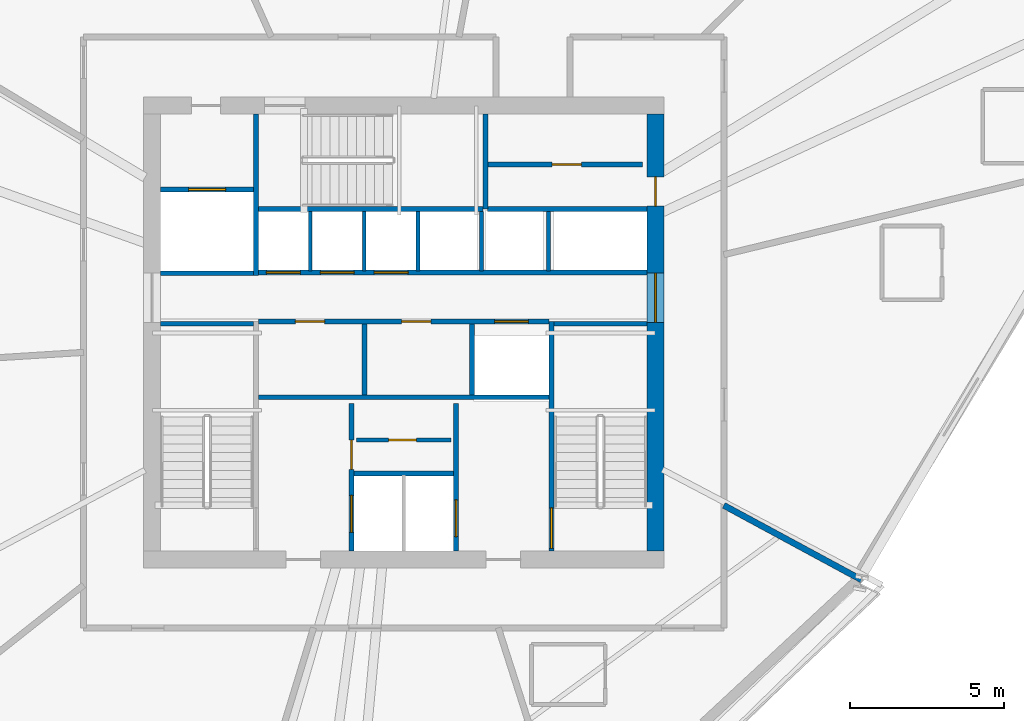
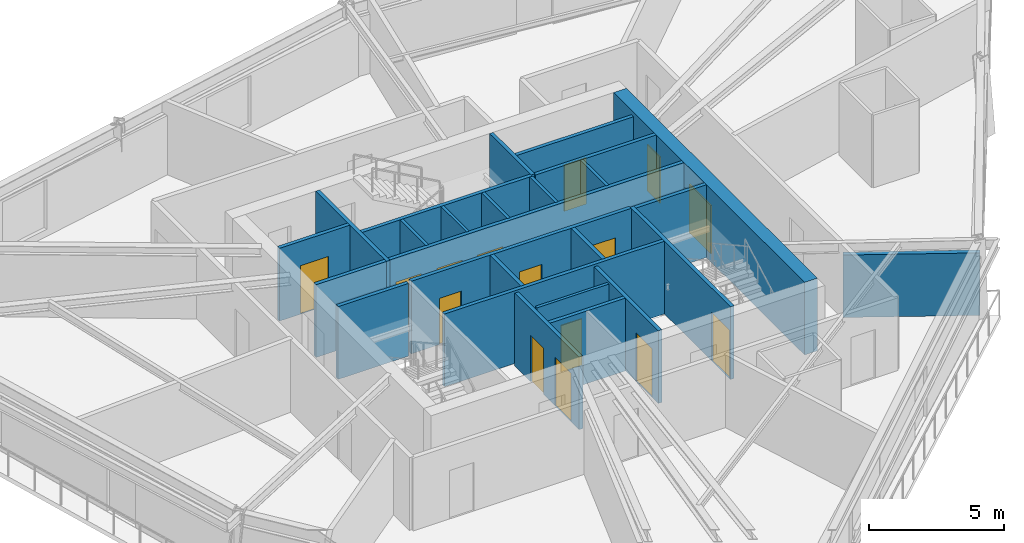
# One storey, part 10 of 15: 26 walls, 15 doors, 15 openings.
"""IFC4 building model written with IfcOpenShell, lengths in metres."""

from ifc_helpers import new_model, si_unit, direction, frame, frame_2d, origin, place, context, subcontext, project, spatial, rectangle, extrude, source, transform, mapped, material, layer, layer_set, type_object, type_shapes, element, fill, save


model = new_model("IFC4")

# Units and contexts
model_context = context("Model", 3, precision=1e-05, world=origin(), true_north=direction((0.0, 1.0)))
body_context = subcontext(model_context, "Body", "Model", "MODEL_VIEW")
ifc_project = project(units=[si_unit("LENGTHUNIT", "METRE"), si_unit("AREAUNIT", "SQUARE_METRE"), si_unit("VOLUMEUNIT", "CUBIC_METRE"), si_unit("PLANEANGLEUNIT", "RADIAN"), si_unit("MASSUNIT", "GRAM", prefix="KILO")], contexts=[model_context])

# Site, building, storey
site_placement = place(None, origin())
site = spatial("IfcSite", under=ifc_project, at=site_placement, CompositionType="ELEMENT")
building_placement = place(site_placement, origin())
building = spatial("IfcBuilding", under=site, at=building_placement, Name="Olszyna Solenne Hotel", CompositionType="ELEMENT")
storey_placement = place(building_placement, frame((0.0, 0.0, 146.60009765625)))
storey = spatial("IfcBuildingStorey", under=building, at=storey_placement, Name="L38", CompositionType="ELEMENT", Elevation=146.60009765625)

# Wall, openings, doors
ifc_material_1 = material(Name="Concrete C50/60", Category="concrete")
ifc_layer_1 = layer(ifc_material_1, 0.550048828125, Name="Concrete C50/60")
ifc_layer_set_1 = layer_set([ifc_layer_1], Name="Concrete C50/60")
wall_type_1 = type_object("IfcWallType", Name="WL-CR550", PredefinedType="SHEAR", material=ifc_layer_set_1)
wall_1_placement = place(storey_placement, frame((46.175048828125, 33.699951171875, 0.0), z_axis=(0.0, 0.0, 1.0), x_axis=(0.0, -1.0, 0.0)))
wall_1 = element("IfcWall", 1, at=wall_1_placement, inside=storey, type_object=wall_type_1, Name="Core shear wall WL-CR550 CRW-L38-E", PredefinedType="SHEAR", context=body_context, shape_type="SweptSolid", body=[
    extrude(rectangle(XDim=14.199951171875, YDim=0.550048828125, at=frame_2d((7.10009765625, 0.0))), origin(), (0.0, 0.0, 1.0), 3.2998046875),
])
opening_1_placement = place(wall_1_placement, frame((5.179931640625, 0.0, 0.0)))
opening_1 = element("IfcOpeningElement", 2, at=opening_1_placement, cuts=wall_1, Name="Opening LHD-L38-E", PredefinedType="OPENING", context=body_context, shape_type="SweptSolid", body=[
    extrude(rectangle(XDim=1.60009765625, YDim=2.199951171875, at=frame_2d((0.800048828125, 1.10009765625))), frame((0.0, 0.28515625, 0.0), z_axis=(0.0, -1.0, 0.0), x_axis=(1.0, 0.0, 0.0)), (0.0, 0.0, 1.0), 0.570068359375),
])
opening_2_placement = place(wall_1_placement, frame((2.050048828125, 0.0, 0.0)))
opening_2 = element("IfcOpeningElement", 3, at=opening_2_placement, cuts=wall_1, Name="Opening SVD-L38-BE", PredefinedType="OPENING", context=body_context, shape_type="SweptSolid", body=[
    extrude(rectangle(XDim=0.949951171875, YDim=2.10009765625, at=frame_2d((0.47509765625, 1.050048828125))), frame((0.0, 0.28515625, 0.0), z_axis=(0.0, -1.0, 0.0), x_axis=(1.0, 0.0, 0.0)), (0.0, 0.0, 1.0), 0.570068359375),
])
ifc_material_2 = material(Name="Steel S355J2", Category="steel")
door_type_1 = type_object("IfcDoorType", Name="DR-SV1", OperationType="NOTDEFINED", PredefinedType="DOOR", material=ifc_material_2)
shared_shape_1 = source(origin(), body_context, "Body", "SweptSolid", [
    extrude(rectangle(XDim=0.949951171875, YDim=2.10009765625, at=frame_2d((0.47509765625, 1.050048828125))), frame((0.0, 0.02490234375, 0.0), z_axis=(0.0, -1.0, 0.0), x_axis=(1.0, 0.0, 0.0)), (0.0, 0.0, 1.0), 0.050048828125),
])
type_shapes(door_type_1, [shared_shape_1])
door_1_placement = place(opening_2_placement, origin())
door_1 = element("IfcDoor", 4, at=door_1_placement, inside=storey, type_object=door_type_1, Name="Housekeeping core fire door SVD-L38-BE", OperationType="SINGLE_SWING_RIGHT", OverallHeight=2.10009765625, OverallWidth=0.949951171875, PredefinedType="DOOR", context=body_context, shape_type="MappedRepresentation", body=[
    mapped(shared_shape_1, transform((0.0, 0.0, 0.0), x_axis=(1.0, 0.0, 0.0), y_axis=(0.0, 1.0, 0.0), z_axis=(0.0, 0.0, 1.0), scale=1.0)),
])
fill(opening_2, door_1)
ifc_material_3 = material(Name="Timber hardwood", Category="wood")
door_type_2 = type_object("IfcDoorType", Name="DR-CR1", OperationType="DOUBLE_DOOR_SINGLE_SWING", PredefinedType="DOOR", material=ifc_material_3)
shared_shape_2 = source(origin(), body_context, "Body", "SweptSolid", [
    extrude(rectangle(XDim=1.60009765625, YDim=2.199951171875, at=frame_2d((0.800048828125, 1.10009765625))), frame((0.0, 0.02490234375, 0.0), z_axis=(0.0, -1.0, 0.0), x_axis=(1.0, 0.0, 0.0)), (0.0, 0.0, 1.0), 0.050048828125),
])
type_shapes(door_type_2, [shared_shape_2])
door_2_placement = place(opening_1_placement, origin())
door_2 = element("IfcDoor", 5, at=door_2_placement, inside=storey, type_object=door_type_2, Name="Passenger lift lobby East fire door LHD-L38-E", OperationType="DOUBLE_DOOR_SINGLE_SWING", OverallHeight=2.199951171875, OverallWidth=1.60009765625, PredefinedType="DOOR", context=body_context, shape_type="MappedRepresentation", body=[
    mapped(shared_shape_2, transform((0.0, 0.0, 0.0), x_axis=(1.0, 0.0, 0.0), y_axis=(0.0, 1.0, 0.0), z_axis=(0.0, 0.0, 1.0), scale=1.0)),
])
fill(opening_1, door_2)

# Wall, opening, door
ifc_material_4 = material(Name="Acoustic gypsum partition", Category="gypsum")
ifc_layer_2 = layer(ifc_material_4, 0.125, Name="Acoustic gypsum partition")
ifc_layer_set_2 = layer_set([ifc_layer_2], Name="Acoustic gypsum partition")
wall_type_2 = type_object("IfcWallType", Name="WL-PT125", PredefinedType="PARTITIONING", material=ifc_layer_set_2)
wall_2_placement = place(storey_placement, frame((36.4599609375, 23.10205078125, 0.0), z_axis=(0.0, 0.0, 1.0), x_axis=(1.0, 0.0, 0.0)))
wall_2 = element("IfcWall", 6, at=wall_2_placement, inside=storey, type_object=wall_type_2, Name="Core shaft compartment wall CW-L38-SC2", PredefinedType="PARTITIONING", context=body_context, shape_type="SweptSolid", body=[
    extrude(rectangle(XDim=3.080078125, YDim=0.125, at=frame_2d((1.5400390625, 0.0))), origin(), (0.0, 0.0, 1.0), 3.2998046875),
])
opening_3_placement = place(wall_2_placement, frame((1.050048828125, 0.0, 0.0)))
opening_3 = element("IfcOpeningElement", 7, at=opening_3_placement, cuts=wall_2, Name="Opening SVD-L38-SC2", PredefinedType="OPENING", context=body_context, shape_type="SweptSolid", body=[
    extrude(rectangle(XDim=0.89990234375, YDim=2.10009765625, at=frame_2d((0.449951171875, 1.050048828125))), frame((0.0, 0.072509765625, 0.0), z_axis=(0.0, -1.0, 0.0), x_axis=(1.0, 0.0, 0.0)), (0.0, 0.0, 1.0), 0.14501953125),
])
door_type_3 = type_object("IfcDoorType", Name="DR-WC1", OperationType="NOTDEFINED", PredefinedType="DOOR", material=ifc_material_3)
shared_shape_3 = source(origin(), body_context, "Body", "SweptSolid", [
    extrude(rectangle(XDim=0.89990234375, YDim=2.10009765625, at=frame_2d((0.449951171875, 1.050048828125))), frame((0.0, 0.02490234375, 0.0), z_axis=(0.0, -1.0, 0.0), x_axis=(1.0, 0.0, 0.0)), (0.0, 0.0, 1.0), 0.050048828125),
])
type_shapes(door_type_3, [shared_shape_3])
door_3_placement = place(opening_3_placement, origin())
door_3 = element("IfcDoor", 8, at=door_3_placement, inside=storey, type_object=door_type_3, Name="Butler pantry door SVD-L38-SC2", OperationType="SINGLE_SWING_RIGHT", OverallHeight=2.10009765625, OverallWidth=0.89990234375, PredefinedType="DOOR", context=body_context, shape_type="MappedRepresentation", body=[
    mapped(shared_shape_3, transform((0.0, 0.0, 0.0), x_axis=(1.0, 0.0, 0.0), y_axis=(0.0, 1.0, 0.0), z_axis=(0.0, 0.0, 1.0), scale=1.0)),
])
fill(opening_3, door_3)

# Walls
for number, where, z_axis, x_axis, name in (
    (9, (34.965087890625, 28.60009765625, 0.0), (0.0, 0.0, 1.0), (0.0, 1.0, 0.0), "Core shaft compartment wall CW-L38-DIVN349"),
    (10, (36.715087890625, 28.60009765625, 0.0), (0.0, 0.0, 1.0), (0.0, 1.0, 0.0), "Core shaft compartment wall CW-L38-DIVN367"),
    (11, (38.465087890625, 28.60009765625, 0.0), (0.0, 0.0, 1.0), (0.0, 1.0, 0.0), "Core shaft compartment wall CW-L38-DIVN384"),
    (12, (40.52490234375, 28.60009765625, 0.0), (0.0, 0.0, 1.0), (0.0, 1.0, 0.0), "Core shaft compartment wall CW-L38-DIVEX405"),
    (13, (42.699951171875, 28.60009765625, 0.0), (0.0, 0.0, 1.0), (0.0, 1.0, 0.0), "Core shaft compartment wall CW-L38-DIVEX427"),
):
    element("IfcWall", number, at=place(storey_placement, frame(where, z_axis=z_axis, x_axis=x_axis)), inside=storey, type_object=wall_type_2, Name=name, PredefinedType="PARTITIONING", context=body_context, shape_type="SweptSolid", body=[
        extrude(rectangle(XDim=1.919921875, YDim=0.125, at=frame_2d((0.9599609375, 0.0))), origin(), (0.0, 0.0, 1.0), 3.2998046875),
    ])
ifc_layer_3 = layer(ifc_material_4, 0.159912109375, Name="Acoustic gypsum partition")
ifc_layer_set_3 = layer_set([ifc_layer_3], Name="Acoustic gypsum partition")
wall_type_3 = type_object("IfcWallType", Name="WL-PT160", PredefinedType="PARTITIONING", material=ifc_layer_set_3)
wall_3_placement = place(storey_placement, frame((30.10009765625, 26.8798828125, 0.0), z_axis=(0.0, 0.0, 1.0), x_axis=(1.0, 0.0, 0.0)))
element("IfcWall", 14, at=wall_3_placement, inside=storey, type_object=wall_type_3, Name="Core shaft compartment wall CW-L38-ST1N", PredefinedType="PARTITIONING", context=body_context, shape_type="SweptSolid", body=[
    extrude(rectangle(XDim=3.02001953125, YDim=0.159912109375, at=frame_2d((1.510009765625, 0.0))), origin(), (0.0, 0.0, 1.0), 3.2998046875),
])

# Wall, opening, door
wall_4_placement = place(storey_placement, frame((42.800048828125, 26.9599609375, 0.0), z_axis=(0.0, 0.0, 1.0), x_axis=(0.0, -1.0, 0.0)))
wall_4 = element("IfcWall", 15, at=wall_4_placement, inside=storey, type_object=wall_type_3, Name="Core shaft compartment wall CW-L38-ST2W", PredefinedType="PARTITIONING", context=body_context, shape_type="SweptSolid", body=[
    extrude(rectangle(XDim=7.4599609375, YDim=0.159912109375, at=frame_2d((3.72998046875, 0.0))), origin(), (0.0, 0.0, 1.0), 3.2998046875),
])
opening_4_placement = place(wall_4_placement, frame((6.06005859375, 0.0, 0.0)))
opening_4 = element("IfcOpeningElement", 16, at=opening_4_placement, cuts=wall_4, Name="Opening STD-L38-02", PredefinedType="OPENING", context=body_context, shape_type="SweptSolid", body=[
    extrude(rectangle(XDim=1.320068359375, YDim=2.199951171875, at=frame_2d((0.66015625, 1.10009765625))), frame((0.0, 0.08984375, 0.0), z_axis=(0.0, -1.0, 0.0), x_axis=(1.0, 0.0, 0.0)), (0.0, 0.0, 1.0), 0.179931640625),
])
door_type_4 = type_object("IfcDoorType", Name="DR-ST1", OperationType="NOTDEFINED", PredefinedType="DOOR", material=ifc_material_2)
shared_shape_4 = source(origin(), body_context, "Body", "SweptSolid", [
    extrude(rectangle(XDim=1.320068359375, YDim=2.199951171875, at=frame_2d((0.66015625, 1.10009765625))), frame((0.0, 0.02490234375, 0.0), z_axis=(0.0, -1.0, 0.0), x_axis=(1.0, 0.0, 0.0)), (0.0, 0.0, 1.0), 0.050048828125),
])
type_shapes(door_type_4, [shared_shape_4])
door_4_placement = place(opening_4_placement, origin())
door_4 = element("IfcDoor", 17, at=door_4_placement, inside=storey, type_object=door_type_4, Name="Pressurised exit stair ST2 fire door STD-L38-02", OperationType="SINGLE_SWING_RIGHT", OverallHeight=2.199951171875, OverallWidth=1.320068359375, PredefinedType="DOOR", context=body_context, shape_type="MappedRepresentation", body=[
    mapped(shared_shape_4, transform((0.0, 0.0, 0.0), x_axis=(1.0, 0.0, 0.0), y_axis=(0.0, 1.0, 0.0), z_axis=(0.0, 0.0, 1.0), scale=1.0)),
])
fill(opening_4, door_4)

# Walls
wall_5_placement = place(storey_placement, frame((42.8798828125, 26.8798828125, 0.0), z_axis=(0.0, 0.0, 1.0), x_axis=(1.0, 0.0, 0.0)))
element("IfcWall", 18, at=wall_5_placement, inside=storey, type_object=wall_type_3, Name="Core shaft compartment wall CW-L38-ST2N", PredefinedType="PARTITIONING", context=body_context, shape_type="SweptSolid", body=[
    extrude(rectangle(XDim=3.02001953125, YDim=0.159912109375, at=frame_2d((1.510009765625, 0.0))), origin(), (0.0, 0.0, 1.0), 3.2998046875),
])
wall_6_placement = place(storey_placement, frame((33.280029296875, 30.60009765625, 0.0), z_axis=(0.0, 0.0, 1.0), x_axis=(1.0, 0.0, 0.0)))
element("IfcWall", 19, at=wall_6_placement, inside=storey, type_object=wall_type_3, Name="Core shaft compartment wall CW-L38-ST3S", PredefinedType="PARTITIONING", context=body_context, shape_type="SweptSolid", body=[
    extrude(rectangle(XDim=7.300048828125, YDim=0.159912109375, at=frame_2d((3.64990234375, 0.0))), origin(), (0.0, 0.0, 1.0), 3.2998046875),
])
wall_7_placement = place(storey_placement, frame((40.659912109375, 30.60009765625, 0.0), z_axis=(0.0, 0.0, 1.0), x_axis=(0.0, 1.0, 0.0)))
element("IfcWall", 20, at=wall_7_placement, inside=storey, type_object=wall_type_3, Name="Core shaft compartment wall CW-L38-ST3E", PredefinedType="PARTITIONING", context=body_context, shape_type="SweptSolid", body=[
    extrude(rectangle(XDim=3.099853515625, YDim=0.159912109375, at=frame_2d((1.5498046875, 0.0))), origin(), (0.0, 0.0, 1.0), 3.2998046875),
])

# Wall, openings, doors
wall_8_placement = place(storey_placement, frame((36.300048828125, 19.5, 0.0), z_axis=(0.0, 0.0, 1.0), x_axis=(0.0, 1.0, 0.0)))
wall_8 = element("IfcWall", 21, at=wall_8_placement, inside=storey, type_object=wall_type_3, Name="Core shaft compartment wall CW-L38-FF1W", PredefinedType="PARTITIONING", context=body_context, shape_type="SweptSolid", body=[
    extrude(rectangle(XDim=4.780029296875, YDim=0.159912109375, at=frame_2d((2.39013671875, 0.0))), origin(), (0.0, 0.0, 1.0), 3.2998046875),
])
opening_5_placement = place(wall_8_placement, frame((0.60009765625, 0.0, 0.0)))
opening_5 = element("IfcOpeningElement", 22, at=opening_5_placement, cuts=wall_8, Name="Opening LD-L38-FF1", PredefinedType="OPENING", context=body_context, shape_type="SweptSolid", body=[
    extrude(rectangle(XDim=1.199951171875, YDim=2.199951171875, at=frame_2d((0.60009765625, 1.10009765625))), frame((0.0, 0.08984375, 0.0), z_axis=(0.0, -1.0, 0.0), x_axis=(1.0, 0.0, 0.0)), (0.0, 0.0, 1.0), 0.179931640625),
])
opening_6_placement = place(wall_8_placement, frame((2.64990234375, 0.0, 0.0)))
opening_6 = element("IfcOpeningElement", 23, at=opening_6_placement, cuts=wall_8, Name="Opening SVD-L38-SMK", PredefinedType="OPENING", context=body_context, shape_type="SweptSolid", body=[
    extrude(rectangle(XDim=0.949951171875, YDim=2.10009765625, at=frame_2d((0.47509765625, 1.050048828125))), frame((0.0, 0.08984375, 0.0), z_axis=(0.0, -1.0, 0.0), x_axis=(1.0, 0.0, 0.0)), (0.0, 0.0, 1.0), 0.179931640625),
])
door_5_placement = place(opening_6_placement, origin())
door_5 = element("IfcDoor", 24, at=door_5_placement, inside=storey, type_object=door_type_1, Name="Valet and core service room door SVD-L38-SMK", OperationType="SINGLE_SWING_LEFT", OverallHeight=2.10009765625, OverallWidth=0.949951171875, PredefinedType="DOOR", context=body_context, shape_type="MappedRepresentation", body=[
    mapped(shared_shape_1, transform((0.0, 0.0, 0.0), x_axis=(1.0, 0.0, 0.0), y_axis=(0.0, 1.0, 0.0), z_axis=(0.0, 0.0, 1.0), scale=1.0)),
])
fill(opening_6, door_5)
door_type_5 = type_object("IfcDoorType", Name="LD-FF1", OperationType="DOUBLE_DOOR_SLIDING", PredefinedType="DOOR", material=ifc_material_2)
shared_shape_5 = source(origin(), body_context, "Body", "SweptSolid", [
    extrude(rectangle(XDim=1.199951171875, YDim=2.199951171875, at=frame_2d((0.60009765625, 1.10009765625))), frame((0.0, 0.02490234375, 0.0), z_axis=(0.0, -1.0, 0.0), x_axis=(1.0, 0.0, 0.0)), (0.0, 0.0, 1.0), 0.050048828125),
])
type_shapes(door_type_5, [shared_shape_5])
door_6_placement = place(opening_5_placement, origin())
door_6 = element("IfcDoor", 25, at=door_6_placement, inside=storey, type_object=door_type_5, Name="Firefighters lift FF1 sliding landing door LD-L38-FF1", OperationType="DOUBLE_DOOR_SLIDING", OverallHeight=2.199951171875, OverallWidth=1.199951171875, PredefinedType="DOOR", context=body_context, shape_type="MappedRepresentation", body=[
    mapped(shared_shape_5, transform((0.0, 0.0, 0.0), x_axis=(1.0, 0.0, 0.0), y_axis=(0.0, 1.0, 0.0), z_axis=(0.0, 0.0, 1.0), scale=1.0)),
])
fill(opening_5, door_6)

# Wall, opening, door
wall_9_placement = place(storey_placement, frame((39.699951171875, 24.280029296875, 0.0), z_axis=(0.0, 0.0, 1.0), x_axis=(0.0, -1.0, 0.0)))
wall_9 = element("IfcWall", 26, at=wall_9_placement, inside=storey, type_object=wall_type_3, Name="Core shaft compartment wall CW-L38-FF2E", PredefinedType="PARTITIONING", context=body_context, shape_type="SweptSolid", body=[
    extrude(rectangle(XDim=4.780029296875, YDim=0.159912109375, at=frame_2d((2.39013671875, 0.0))), origin(), (0.0, 0.0, 1.0), 3.2998046875),
])
opening_7_placement = place(wall_9_placement, frame((3.1201171875, 0.0, 0.0)))
opening_7 = element("IfcOpeningElement", 27, at=opening_7_placement, cuts=wall_9, Name="Opening LD-L38-FF2", PredefinedType="OPENING", context=body_context, shape_type="SweptSolid", body=[
    extrude(rectangle(XDim=1.199951171875, YDim=2.199951171875, at=frame_2d((0.60009765625, 1.10009765625))), frame((0.0, 0.08984375, 0.0), z_axis=(0.0, -1.0, 0.0), x_axis=(1.0, 0.0, 0.0)), (0.0, 0.0, 1.0), 0.179931640625),
])
door_7_placement = place(opening_7_placement, origin())
door_7 = element("IfcDoor", 28, at=door_7_placement, inside=storey, type_object=door_type_5, Name="Firefighters lift FF2 sliding landing door LD-L38-FF2", OperationType="DOUBLE_DOOR_SLIDING", OverallHeight=2.199951171875, OverallWidth=1.199951171875, PredefinedType="DOOR", context=body_context, shape_type="MappedRepresentation", body=[
    mapped(shared_shape_5, transform((0.0, 0.0, 0.0), x_axis=(1.0, 0.0, 0.0), y_axis=(0.0, 1.0, 0.0), z_axis=(0.0, 0.0, 1.0), scale=1.0)),
])
fill(opening_7, door_7)

# Walls
wall_10_placement = place(storey_placement, frame((36.3798828125, 22.02001953125, 0.0), z_axis=(0.0, 0.0, 1.0), x_axis=(1.0, 0.0, 0.0)))
element("IfcWall", 29, at=wall_10_placement, inside=storey, type_object=wall_type_3, Name="Core shaft compartment wall CW-L38-FFN", PredefinedType="PARTITIONING", context=body_context, shape_type="SweptSolid", body=[
    extrude(rectangle(XDim=3.240234375, YDim=0.159912109375, at=frame_2d((1.6201171875, 0.0))), origin(), (0.0, 0.0, 1.0), 3.2998046875),
])
wall_11_placement = place(storey_placement, frame((33.280029296875, 24.489990234375, 0.0), z_axis=(0.0, 0.0, 1.0), x_axis=(1.0, 0.0, 0.0)))
element("IfcWall", 30, at=wall_11_placement, inside=storey, type_object=wall_type_3, Name="Core shaft compartment wall CW-L38-FFBN", PredefinedType="PARTITIONING", context=body_context, shape_type="SweptSolid", body=[
    extrude(rectangle(XDim=9.43994140625, YDim=0.159912109375, at=frame_2d((4.719970703125, 0.0))), origin(), (0.0, 0.0, 1.0), 3.2998046875),
])
wall_12_placement = place(storey_placement, frame((30.10009765625, 28.52001953125, 0.0), z_axis=(0.0, 0.0, 1.0), x_axis=(1.0, 0.0, 0.0)))
element("IfcWall", 31, at=wall_12_placement, inside=storey, type_object=wall_type_3, Name="Core shaft compartment wall CW-L38-SV1S", PredefinedType="PARTITIONING", context=body_context, shape_type="SweptSolid", body=[
    extrude(rectangle(XDim=3.02001953125, YDim=0.159912109375, at=frame_2d((1.510009765625, 0.0))), origin(), (0.0, 0.0, 1.0), 3.2998046875),
])
wall_13_placement = place(storey_placement, frame((33.199951171875, 28.43994140625, 0.0), z_axis=(0.0, 0.0, 1.0), x_axis=(0.0, 1.0, 0.0)))
element("IfcWall", 32, at=wall_13_placement, inside=storey, type_object=wall_type_3, Name="Core shaft compartment wall CW-L38-SV1E", PredefinedType="PARTITIONING", context=body_context, shape_type="SweptSolid", body=[
    extrude(rectangle(XDim=5.260009765625, YDim=0.159912109375, at=frame_2d((2.6298828125, 0.0))), origin(), (0.0, 0.0, 1.0), 3.2998046875),
])

# Wall, opening, door
wall_14_placement = place(storey_placement, frame((30.10009765625, 31.239990234375, 0.0), z_axis=(0.0, 0.0, 1.0), x_axis=(1.0, 0.0, 0.0)))
wall_14 = element("IfcWall", 33, at=wall_14_placement, inside=storey, type_object=wall_type_3, Name="Core shaft compartment wall CW-L38-SV1N", PredefinedType="PARTITIONING", context=body_context, shape_type="SweptSolid", body=[
    extrude(rectangle(XDim=3.02001953125, YDim=0.159912109375, at=frame_2d((1.510009765625, 0.0))), origin(), (0.0, 0.0, 1.0), 3.2998046875),
])
opening_8_placement = place(wall_14_placement, frame((0.909912109375, 0.0, 0.0)))
opening_8 = element("IfcOpeningElement", 34, at=opening_8_placement, cuts=wall_14, Name="Opening LD-L38-SV1", PredefinedType="OPENING", context=body_context, shape_type="SweptSolid", body=[
    extrude(rectangle(XDim=1.199951171875, YDim=2.199951171875, at=frame_2d((0.60009765625, 1.10009765625))), frame((0.0, 0.08984375, 0.0), z_axis=(0.0, -1.0, 0.0), x_axis=(1.0, 0.0, 0.0)), (0.0, 0.0, 1.0), 0.179931640625),
])
door_8_placement = place(opening_8_placement, origin())
door_8 = element("IfcDoor", 35, at=door_8_placement, inside=storey, type_object=door_type_5, Name="Service lift SV1 sliding landing door LD-L38-SV1", OperationType="DOUBLE_DOOR_SLIDING", OverallHeight=2.199951171875, OverallWidth=1.199951171875, PredefinedType="DOOR", context=body_context, shape_type="MappedRepresentation", body=[
    mapped(shared_shape_5, transform((0.0, 0.0, 0.0), x_axis=(1.0, 0.0, 0.0), y_axis=(0.0, 1.0, 0.0), z_axis=(0.0, 0.0, 1.0), scale=1.0)),
])
fill(opening_8, door_8)

# Wall, openings, doors
wall_15_placement = place(storey_placement, frame((33.280029296875, 26.949951171875, 0.0), z_axis=(0.0, 0.0, 1.0), x_axis=(1.0, 0.0, 0.0)))
wall_15 = element("IfcWall", 36, at=wall_15_placement, inside=storey, type_object=wall_type_3, Name="Core shaft compartment wall CW-L38-LRS", PredefinedType="PARTITIONING", context=body_context, shape_type="SweptSolid", body=[
    extrude(rectangle(XDim=9.43994140625, YDim=0.159912109375, at=frame_2d((4.719970703125, 0.0))), origin(), (0.0, 0.0, 1.0), 3.2998046875),
])
opening_9_placement = place(wall_15_placement, frame((1.199951171875, 0.0, 0.0)))
opening_9 = element("IfcOpeningElement", 37, at=opening_9_placement, cuts=wall_15, Name="Opening SVD-L38-L71", PredefinedType="OPENING", context=body_context, shape_type="SweptSolid", body=[
    extrude(rectangle(XDim=0.949951171875, YDim=2.10009765625, at=frame_2d((0.47509765625, 1.050048828125))), frame((0.0, 0.08984375, 0.0), z_axis=(0.0, -1.0, 0.0), x_axis=(1.0, 0.0, 0.0)), (0.0, 0.0, 1.0), 0.179931640625),
])
opening_10_placement = place(wall_15_placement, frame((4.64990234375, 0.0, 0.0)))
opening_10 = element("IfcOpeningElement", 38, at=opening_10_placement, cuts=wall_15, Name="Opening SVD-L38-L72", PredefinedType="OPENING", context=body_context, shape_type="SweptSolid", body=[
    extrude(rectangle(XDim=0.949951171875, YDim=2.10009765625, at=frame_2d((0.47509765625, 1.050048828125))), frame((0.0, 0.08984375, 0.0), z_axis=(0.0, -1.0, 0.0), x_axis=(1.0, 0.0, 0.0)), (0.0, 0.0, 1.0), 0.179931640625),
])
opening_11_placement = place(wall_15_placement, frame((7.669921875, 0.0, 0.0)))
opening_11 = element("IfcOpeningElement", 39, at=opening_11_placement, cuts=wall_15, Name="Opening LD-L38-PL5", PredefinedType="OPENING", context=body_context, shape_type="SweptSolid", body=[
    extrude(rectangle(XDim=1.10009765625, YDim=2.199951171875, at=frame_2d((0.550048828125, 1.10009765625))), frame((0.0, 0.08984375, 0.0), z_axis=(0.0, -1.0, 0.0), x_axis=(1.0, 0.0, 0.0)), (0.0, 0.0, 1.0), 0.179931640625),
])
door_9_placement = place(opening_9_placement, origin())
door_9 = element("IfcDoor", 40, at=door_9_placement, inside=storey, type_object=door_type_1, Name="Recaptured core room fire door SVD-L38-L71", OperationType="SINGLE_SWING_LEFT", OverallHeight=2.10009765625, OverallWidth=0.949951171875, PredefinedType="DOOR", context=body_context, shape_type="MappedRepresentation", body=[
    mapped(shared_shape_1, transform((0.0, 0.0, 0.0), x_axis=(1.0, 0.0, 0.0), y_axis=(0.0, 1.0, 0.0), z_axis=(0.0, 0.0, 1.0), scale=1.0)),
])
fill(opening_9, door_9)
door_10_placement = place(opening_10_placement, origin())
door_10 = element("IfcDoor", 41, at=door_10_placement, inside=storey, type_object=door_type_1, Name="Recaptured core room fire door SVD-L38-L72", OperationType="SINGLE_SWING_RIGHT", OverallHeight=2.10009765625, OverallWidth=0.949951171875, PredefinedType="DOOR", context=body_context, shape_type="MappedRepresentation", body=[
    mapped(shared_shape_1, transform((0.0, 0.0, 0.0), x_axis=(1.0, 0.0, 0.0), y_axis=(0.0, 1.0, 0.0), z_axis=(0.0, 0.0, 1.0), scale=1.0)),
])
fill(opening_10, door_10)
door_type_6 = type_object("IfcDoorType", Name="LD-P1", OperationType="DOUBLE_DOOR_SLIDING", PredefinedType="DOOR", material=ifc_material_2)
shared_shape_6 = source(origin(), body_context, "Body", "SweptSolid", [
    extrude(rectangle(XDim=1.10009765625, YDim=2.199951171875, at=frame_2d((0.550048828125, 1.10009765625))), frame((0.0, 0.02490234375, 0.0), z_axis=(0.0, -1.0, 0.0), x_axis=(1.0, 0.0, 0.0)), (0.0, 0.0, 1.0), 0.050048828125),
])
type_shapes(door_type_6, [shared_shape_6])
door_11_placement = place(opening_11_placement, origin())
door_11 = element("IfcDoor", 42, at=door_11_placement, inside=storey, type_object=door_type_6, Name="Passenger lift PL5 sliding landing door LD-L38-PL5", OperationType="DOUBLE_DOOR_SLIDING", OverallHeight=2.199951171875, OverallWidth=1.10009765625, PredefinedType="DOOR", context=body_context, shape_type="MappedRepresentation", body=[
    mapped(shared_shape_6, transform((0.0, 0.0, 0.0), x_axis=(1.0, 0.0, 0.0), y_axis=(0.0, 1.0, 0.0), z_axis=(0.0, 0.0, 1.0), scale=1.0)),
])
fill(opening_11, door_11)

# Walls
for number, where, z_axis, x_axis, name in (
    (43, (36.72998046875, 24.56005859375, 0.0), (0.0, 0.0, 1.0), (0.0, 1.0, 0.0), "Core shaft compartment wall CW-L38-LV7DIV1"),
    (44, (40.215087890625, 24.56005859375, 0.0), (0.0, 0.0, 1.0), (0.0, 1.0, 0.0), "Core shaft compartment wall CW-L38-LV7DIV2"),
):
    element("IfcWall", number, at=place(storey_placement, frame(where, z_axis=z_axis, x_axis=x_axis)), inside=storey, type_object=wall_type_3, Name=name, PredefinedType="PARTITIONING", context=body_context, shape_type="SweptSolid", body=[
        extrude(rectangle(XDim=2.31005859375, YDim=0.159912109375, at=frame_2d((1.155029296875, 0.0))), origin(), (0.0, 0.0, 1.0), 3.2998046875),
    ])

# Wall, openings, doors
wall_16_placement = place(storey_placement, frame((33.280029296875, 28.5400390625, 0.0), z_axis=(0.0, 0.0, 1.0), x_axis=(1.0, 0.0, 0.0)))
wall_16 = element("IfcWall", 45, at=wall_16_placement, inside=storey, type_object=wall_type_3, Name="Core shaft compartment wall CW-L38-LRN", PredefinedType="PARTITIONING", context=body_context, shape_type="SweptSolid", body=[
    extrude(rectangle(XDim=12.619873046875, YDim=0.159912109375, at=frame_2d((6.31005859375, 0.0))), origin(), (0.0, 0.0, 1.0), 3.2998046875),
])
opening_12_placement = place(wall_16_placement, frame((0.260009765625, 0.0, 0.0)))
opening_12 = element("IfcOpeningElement", 46, at=opening_12_placement, cuts=wall_16, Name="Opening LD-L38-PL6", PredefinedType="OPENING", context=body_context, shape_type="SweptSolid", body=[
    extrude(rectangle(XDim=1.10009765625, YDim=2.199951171875, at=frame_2d((0.550048828125, 1.10009765625))), frame((0.0, 0.08984375, 0.0), z_axis=(0.0, -1.0, 0.0), x_axis=(1.0, 0.0, 0.0)), (0.0, 0.0, 1.0), 0.179931640625),
])
opening_13_placement = place(wall_16_placement, frame((2.010009765625, 0.0, 0.0)))
opening_13 = element("IfcOpeningElement", 47, at=opening_13_placement, cuts=wall_16, Name="Opening LD-L38-PL7", PredefinedType="OPENING", context=body_context, shape_type="SweptSolid", body=[
    extrude(rectangle(XDim=1.10009765625, YDim=2.199951171875, at=frame_2d((0.550048828125, 1.10009765625))), frame((0.0, 0.08984375, 0.0), z_axis=(0.0, -1.0, 0.0), x_axis=(1.0, 0.0, 0.0)), (0.0, 0.0, 1.0), 0.179931640625),
])
opening_14_placement = place(wall_16_placement, frame((3.760009765625, 0.0, 0.0)))
opening_14 = element("IfcOpeningElement", 48, at=opening_14_placement, cuts=wall_16, Name="Opening LD-L38-PL8", PredefinedType="OPENING", context=body_context, shape_type="SweptSolid", body=[
    extrude(rectangle(XDim=1.10009765625, YDim=2.199951171875, at=frame_2d((0.550048828125, 1.10009765625))), frame((0.0, 0.08984375, 0.0), z_axis=(0.0, -1.0, 0.0), x_axis=(1.0, 0.0, 0.0)), (0.0, 0.0, 1.0), 0.179931640625),
])
door_12_placement = place(opening_12_placement, origin())
door_12 = element("IfcDoor", 49, at=door_12_placement, inside=storey, type_object=door_type_6, Name="Passenger lift PL6 sliding landing door LD-L38-PL6", OperationType="DOUBLE_DOOR_SLIDING", OverallHeight=2.199951171875, OverallWidth=1.10009765625, PredefinedType="DOOR", context=body_context, shape_type="MappedRepresentation", body=[
    mapped(shared_shape_6, transform((0.0, 0.0, 0.0), x_axis=(1.0, 0.0, 0.0), y_axis=(0.0, 1.0, 0.0), z_axis=(0.0, 0.0, 1.0), scale=1.0)),
])
fill(opening_12, door_12)
door_13_placement = place(opening_13_placement, origin())
door_13 = element("IfcDoor", 50, at=door_13_placement, inside=storey, type_object=door_type_6, Name="Passenger lift PL7 sliding landing door LD-L38-PL7", OperationType="DOUBLE_DOOR_SLIDING", OverallHeight=2.199951171875, OverallWidth=1.10009765625, PredefinedType="DOOR", context=body_context, shape_type="MappedRepresentation", body=[
    mapped(shared_shape_6, transform((0.0, 0.0, 0.0), x_axis=(1.0, 0.0, 0.0), y_axis=(0.0, 1.0, 0.0), z_axis=(0.0, 0.0, 1.0), scale=1.0)),
])
fill(opening_13, door_13)
door_14_placement = place(opening_14_placement, origin())
door_14 = element("IfcDoor", 51, at=door_14_placement, inside=storey, type_object=door_type_6, Name="Passenger lift PL8 sliding landing door LD-L38-PL8", OperationType="DOUBLE_DOOR_SLIDING", OverallHeight=2.199951171875, OverallWidth=1.10009765625, PredefinedType="DOOR", context=body_context, shape_type="MappedRepresentation", body=[
    mapped(shared_shape_6, transform((0.0, 0.0, 0.0), x_axis=(1.0, 0.0, 0.0), y_axis=(0.0, 1.0, 0.0), z_axis=(0.0, 0.0, 1.0), scale=1.0)),
])
fill(opening_14, door_14)

# Wall
wall_17_placement = place(storey_placement, frame((40.719970703125, 30.60009765625, 0.0), z_axis=(0.0, 0.0, 1.0), x_axis=(1.0, 0.0, 0.0)))
element("IfcWall", 52, at=wall_17_placement, inside=storey, type_object=wall_type_3, Name="Core shaft compartment wall CW-L38-LRNTOP", PredefinedType="PARTITIONING", context=body_context, shape_type="SweptSolid", body=[
    extrude(rectangle(XDim=5.179931640625, YDim=0.159912109375, at=frame_2d((2.58984375, 0.0))), origin(), (0.0, 0.0, 1.0), 3.2998046875),
])

# Wall, opening, door
wall_18_placement = place(storey_placement, frame((40.719970703125, 32.0458984375, 0.0), z_axis=(0.0, 0.0, 1.0), x_axis=(1.0, 0.0, 0.0)))
wall_18 = element("IfcWall", 53, at=wall_18_placement, inside=storey, type_object=wall_type_3, Name="Core shaft compartment wall CW-L38-BOH2", PredefinedType="PARTITIONING", context=body_context, shape_type="SweptSolid", body=[
    extrude(rectangle(XDim=5.030029296875, YDim=0.159912109375, at=frame_2d((2.51513671875, 0.0))), origin(), (0.0, 0.0, 1.0), 3.2998046875),
])
opening_15_placement = place(wall_18_placement, frame((2.10009765625, 0.0, 0.0)))
opening_15 = element("IfcOpeningElement", 54, at=opening_15_placement, cuts=wall_18, Name="Opening SVD-L38-BI2", PredefinedType="OPENING", context=body_context, shape_type="SweptSolid", body=[
    extrude(rectangle(XDim=0.949951171875, YDim=2.10009765625, at=frame_2d((0.47509765625, 1.050048828125))), frame((0.0, 0.08984375, 0.0), z_axis=(0.0, -1.0, 0.0), x_axis=(1.0, 0.0, 0.0)), (0.0, 0.0, 1.0), 0.179931640625),
])
door_15_placement = place(opening_15_placement, origin())
door_15 = element("IfcDoor", 55, at=door_15_placement, inside=storey, type_object=door_type_1, Name="BOH inter-room fire door SVD-L38-BI2", OperationType="SINGLE_SWING_RIGHT", OverallHeight=2.10009765625, OverallWidth=0.949951171875, PredefinedType="DOOR", context=body_context, shape_type="MappedRepresentation", body=[
    mapped(shared_shape_1, transform((0.0, 0.0, 0.0), x_axis=(1.0, 0.0, 0.0), y_axis=(0.0, 1.0, 0.0), z_axis=(0.0, 0.0, 1.0), scale=1.0)),
])
fill(opening_15, door_15)

# Wall
ifc_layer_4 = layer(ifc_material_4, 0.199951171875, Name="Acoustic gypsum partition")
ifc_layer_set_4 = layer_set([ifc_layer_4], Name="Acoustic gypsum partition")
wall_type_4 = type_object("IfcWallType", Name="WL-PT200", PredefinedType="PARTITIONING", material=ifc_layer_set_4)
wall_19_placement = place(storey_placement, frame((48.39990234375, 20.9775390625, 0.0), z_axis=(0.0, 0.0, 1.0), x_axis=(0.879687571987, -0.475552074638, 0.0)))
element("IfcWall", 56, at=wall_19_placement, inside=storey, type_object=wall_type_4, Name="Interior acoustic partition WL-PT200 PW-L38-2161", PredefinedType="PARTITIONING", context=body_context, shape_type="SweptSolid", body=[
    extrude(rectangle(XDim=5.1005859375, YDim=0.199951171875, at=frame_2d((2.55029296875, 0.0))), origin(), (0.0, 0.0, 1.0), 2.8349609375),
])

save(model, "model.ifc")
